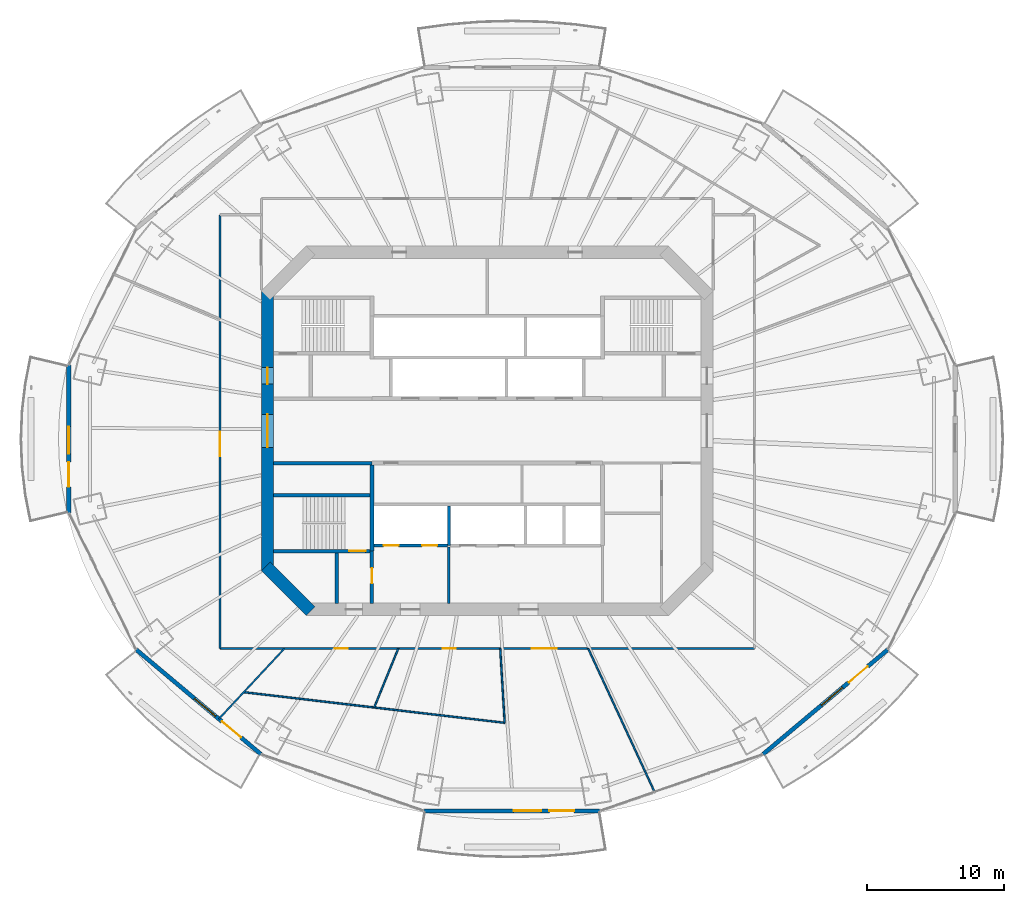
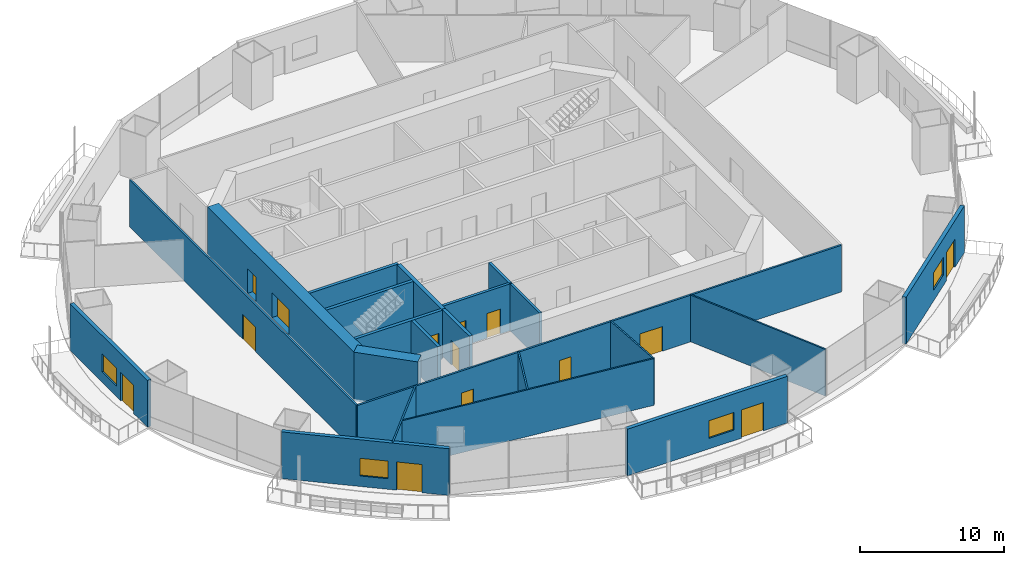
# One storey, part 12 of 21: 22 walls, 14 doors, 4 windows, 18 openings.
"""IFC4 building model written with IfcOpenShell, lengths in metres."""

from ifc_helpers import new_model, si_unit, direction, frame, frame_2d, origin, place, context, subcontext, project, spatial, rectangle, extrude, material, layer, layer_set, type_object, element, fill, save


model = new_model("IFC4")

# Units and contexts
model_context = context("Model", 3, precision=1e-05, world=origin(), true_north=direction((0.0, 1.0)))
body_context = subcontext(model_context, "Body", "Model", "MODEL_VIEW")
ifc_project = project(units=[si_unit("LENGTHUNIT", "METRE"), si_unit("AREAUNIT", "SQUARE_METRE"), si_unit("VOLUMEUNIT", "CUBIC_METRE"), si_unit("PLANEANGLEUNIT", "RADIAN"), si_unit("MASSUNIT", "GRAM", prefix="KILO")], contexts=[model_context])

# Site, building, storey
site_placement = place(None, origin())
site = spatial("IfcSite", under=ifc_project, at=site_placement, CompositionType="ELEMENT")
building_placement = place(site_placement, origin())
building = spatial("IfcBuilding", under=site, at=building_placement, Name="Marenthal Gate Tower", CompositionType="ELEMENT")
storey_placement = place(building_placement, frame((0.0, 0.0, 169.35009765625)))
storey = spatial("IfcBuildingStorey", under=building, at=storey_placement, Name="L36", CompositionType="ELEMENT", Elevation=169.35009765625)

# Wall, openings, doors
ifc_material_1 = material(Name="Concrete 60 MPa", Category="concrete")
ifc_layer_1 = layer(ifc_material_1, 0.89990234375)
ifc_layer_set_1 = layer_set([ifc_layer_1], Name="Core shear wall 900")
wall_type_1 = type_object("IfcWallType", Name="Core shear wall 900", PredefinedType="SHEAR", material=ifc_layer_set_1)
wall_1_placement = place(storey_placement, frame((-16.0, 10.186279296875, -0.18017578125), z_axis=(0.0, 0.0, 1.0), x_axis=(0.0, -1.0, 0.0)))
wall_1 = element("IfcWall", 1, at=wall_1_placement, inside=storey, type_object=wall_type_1, Name="Core wall 06", PredefinedType="SHEAR", context=body_context, shape_type="SweptSolid", body=[
    extrude(rectangle(XDim=20.37255859375, YDim=0.89990234375, at=frame_2d((10.186279296875, 0.0))), origin(), (0.0, 0.0, 1.0), 4.150146484375),
])
opening_1_placement = place(wall_1_placement, frame((8.986328125, 0.0, 0.179931640625)))
opening_1 = element("IfcOpeningElement", 2, at=opening_1_placement, cuts=wall_1, Name="Opening D003.01", PredefinedType="OPENING", context=body_context, shape_type="SweptSolid", body=[
    extrude(rectangle(XDim=2.39990234375, YDim=2.10009765625, at=frame_2d((1.199951171875, 1.050048828125))), frame((0.0, 0.4599609375, 0.0), z_axis=(0.0, -1.0, 0.0), x_axis=(1.0, 0.0, 0.0)), (0.0, 0.0, 1.0), 0.919921875),
])
opening_2_placement = place(wall_1_placement, frame((5.58642578125, 0.0, 0.179931640625)))
opening_2 = element("IfcOpeningElement", 3, at=opening_2_placement, cuts=wall_1, Name="Opening D001.04", PredefinedType="OPENING", context=body_context, shape_type="SweptSolid", body=[
    extrude(rectangle(XDim=1.199951171875, YDim=2.10009765625, at=frame_2d((0.60009765625, 1.050048828125))), frame((0.0, 0.4599609375, 0.0), z_axis=(0.0, -1.0, 0.0), x_axis=(1.0, 0.0, 0.0)), (0.0, 0.0, 1.0), 0.919921875),
])
ifc_material_2 = material(Name="Steel fire door", Category="steel")
door_type_1 = type_object("IfcDoorType", Name="Double fire door FD 45 2400 x 2100", OperationType="DOUBLE_DOOR_SINGLE_SWING", PredefinedType="DOOR", material=ifc_material_2)
door_1_placement = place(opening_1_placement, origin())
door_1 = element("IfcDoor", 4, at=door_1_placement, inside=storey, type_object=door_type_1, Name="Door D003.01", OperationType="DOUBLE_DOOR_SINGLE_SWING", OverallHeight=2.10009765625, OverallWidth=2.39990234375, PredefinedType="DOOR", context=body_context, shape_type="SweptSolid", body=[
    extrude(rectangle(XDim=2.39990234375, YDim=2.10009765625, at=frame_2d((1.199951171875, 1.050048828125))), frame((0.0, 0.02490234375, 0.0), z_axis=(0.0, -1.0, 0.0), x_axis=(1.0, 0.0, 0.0)), (0.0, 0.0, 1.0), 0.050048828125),
])
fill(opening_1, door_1)
ifc_material_3 = material(Name="Steel fire door", Category="steel")
door_type_2 = type_object("IfcDoorType", Name="Fire door FD 90 1200 x 2100", OperationType="NOTDEFINED", PredefinedType="DOOR", material=ifc_material_3)
door_2_placement = place(opening_2_placement, origin())
door_2 = element("IfcDoor", 5, at=door_2_placement, inside=storey, type_object=door_type_2, Name="Door D001.04", OperationType="SINGLE_SWING_RIGHT", OverallHeight=2.10009765625, OverallWidth=1.199951171875, PredefinedType="DOOR", context=body_context, shape_type="SweptSolid", body=[
    extrude(rectangle(XDim=1.199951171875, YDim=2.10009765625, at=frame_2d((0.60009765625, 1.050048828125))), frame((0.0, 0.02490234375, 0.0), z_axis=(0.0, -1.0, 0.0), x_axis=(1.0, 0.0, 0.0)), (0.0, 0.0, 1.0), 0.050048828125),
])
fill(opening_2, door_2)

# Walls
wall_2_placement = place(storey_placement, frame((-16.1318359375, -9.8681640625, -0.18017578125), z_axis=(0.0, 0.0, 1.0), x_axis=(0.707106781187, -0.707106781187, 0.0)))
element("IfcWall", 6, at=wall_2_placement, inside=storey, type_object=wall_type_1, Name="Core wall 07", PredefinedType="SHEAR", context=body_context, shape_type="SweptSolid", body=[
    extrude(rectangle(XDim=4.615478515625, YDim=0.89990234375, at=frame_2d((2.3076171875, 0.0))), origin(), (0.0, 0.0, 1.0), 4.150146484375),
])
ifc_material_4 = material(Name="Gypsum board on steel studs", Category="steel")
ifc_layer_2 = layer(ifc_material_4, 0.199951171875)
ifc_layer_set_2 = layer_set([ifc_layer_2], Name="Fire lobby wall 200")
wall_type_2 = type_object("IfcWallType", Name="Fire lobby wall 200", PredefinedType="PARTITIONING", material=ifc_layer_set_2)
wall_3_placement = place(storey_placement, frame((-2.800048828125, -12.550048828125, 0.0), z_axis=(0.0, 0.0, 1.0), x_axis=(0.0, 1.0, 0.0)))
element("IfcWall", 7, at=wall_3_placement, inside=storey, type_object=wall_type_2, Name="Fire wall 34", PredefinedType="PARTITIONING", context=body_context, shape_type="SweptSolid", body=[
    extrude(rectangle(XDim=4.090087890625, YDim=0.199951171875, at=frame_2d((2.044921875, 0.0))), origin(), (0.0, 0.0, 1.0), 3.969970703125),
])
ifc_material_5 = material(Name="Concrete 50 MPa", Category="concrete")
ifc_layer_3 = layer(ifc_material_5, 0.300048828125)
ifc_layer_set_3 = layer_set([ifc_layer_3], Name="Hoistway shear wall 300")
wall_type_3 = type_object("IfcWallType", Name="Hoistway shear wall 300", PredefinedType="SHEAR", material=ifc_layer_set_3)
wall_4_placement = place(storey_placement, frame((-8.39990234375, -8.75, -0.18017578125), z_axis=(0.0, 0.0, 1.0), x_axis=(0.0, 1.0, 0.0)))
element("IfcWall", 8, at=wall_4_placement, inside=storey, type_object=wall_type_3, Name="Hoistway wall 30", PredefinedType="SHEAR", context=body_context, shape_type="SweptSolid", body=[
    extrude(rectangle(XDim=6.25, YDim=0.300048828125, at=frame_2d((3.125, 0.0))), origin(), (0.0, 0.0, 1.0), 4.150146484375),
])

# Wall, openings, doors
ifc_material_6 = material(Name="Concrete 40 MPa", Category="concrete")
ifc_layer_4 = layer(ifc_material_6, 0.219970703125)
ifc_layer_set_4 = layer_set([ifc_layer_4], Name="Hoistway wall 220")
wall_type_4 = type_object("IfcWallType", Name="Hoistway wall 220", PredefinedType="STANDARD", material=ifc_layer_set_4)
wall_5_placement = place(storey_placement, frame((-8.25, -8.35009765625, 0.0), z_axis=(0.0, 0.0, 1.0), x_axis=(1.0, 0.0, 0.0)))
wall_5 = element("IfcWall", 9, at=wall_5_placement, inside=storey, type_object=wall_type_4, Name="Hoistway wall 10", PredefinedType="STANDARD", context=body_context, shape_type="SweptSolid", body=[
    extrude(rectangle(XDim=5.340087890625, YDim=0.219970703125, at=frame_2d((2.669921875, 0.0))), origin(), (0.0, 0.0, 1.0), 3.969970703125),
])
opening_3_placement = place(wall_5_placement, frame((0.699951171875, 0.0, 0.0)))
opening_3 = element("IfcOpeningElement", 10, at=opening_3_placement, cuts=wall_5, Name="Opening LD-LF1", PredefinedType="OPENING", context=body_context, shape_type="SweptSolid", body=[
    extrude(rectangle(XDim=1.10009765625, YDim=2.10009765625, at=frame_2d((0.550048828125, 1.050048828125))), frame((0.0, 0.1201171875, 0.0), z_axis=(0.0, -1.0, 0.0), x_axis=(1.0, 0.0, 0.0)), (0.0, 0.0, 1.0), 0.239990234375),
])
opening_4_placement = place(wall_5_placement, frame((3.5, 0.0, 0.0)))
opening_4 = element("IfcOpeningElement", 11, at=opening_4_placement, cuts=wall_5, Name="Opening LD-LF2", PredefinedType="OPENING", context=body_context, shape_type="SweptSolid", body=[
    extrude(rectangle(XDim=1.10009765625, YDim=2.10009765625, at=frame_2d((0.550048828125, 1.050048828125))), frame((0.0, 0.1201171875, 0.0), z_axis=(0.0, -1.0, 0.0), x_axis=(1.0, 0.0, 0.0)), (0.0, 0.0, 1.0), 0.239990234375),
])
ifc_material_7 = material(Name="Stainless steel sliding door", Category="steel")
door_type_3 = type_object("IfcDoorType", Name="Lift landing door FD 90 1100 x 2100", OperationType="DOUBLE_DOOR_SLIDING", PredefinedType="DOOR", material=ifc_material_7)
door_3_placement = place(opening_3_placement, origin())
door_3 = element("IfcDoor", 12, at=door_3_placement, inside=storey, type_object=door_type_3, Name="Lift landing door LF1", OperationType="DOUBLE_DOOR_SLIDING", OverallHeight=2.10009765625, OverallWidth=1.10009765625, PredefinedType="DOOR", context=body_context, shape_type="SweptSolid", body=[
    extrude(rectangle(XDim=1.10009765625, YDim=2.10009765625, at=frame_2d((0.550048828125, 1.050048828125))), frame((0.0, 0.02490234375, 0.0), z_axis=(0.0, -1.0, 0.0), x_axis=(1.0, 0.0, 0.0)), (0.0, 0.0, 1.0), 0.050048828125),
])
fill(opening_3, door_3)
door_4_placement = place(opening_4_placement, origin())
door_4 = element("IfcDoor", 13, at=door_4_placement, inside=storey, type_object=door_type_3, Name="Lift landing door LF2", OperationType="DOUBLE_DOOR_SLIDING", OverallHeight=2.10009765625, OverallWidth=1.10009765625, PredefinedType="DOOR", context=body_context, shape_type="SweptSolid", body=[
    extrude(rectangle(XDim=1.10009765625, YDim=2.10009765625, at=frame_2d((0.550048828125, 1.050048828125))), frame((0.0, 0.02490234375, 0.0), z_axis=(0.0, -1.0, 0.0), x_axis=(1.0, 0.0, 0.0)), (0.0, 0.0, 1.0), 0.050048828125),
])
fill(opening_4, door_4)

# Walls
wall_6_placement = place(storey_placement, frame((-2.800048828125, -8.35009765625, 0.0), z_axis=(0.0, 0.0, 1.0), x_axis=(0.0, 1.0, 0.0)))
element("IfcWall", 14, at=wall_6_placement, inside=storey, type_object=wall_type_4, Name="Hoistway wall 35", PredefinedType="STANDARD", context=body_context, shape_type="SweptSolid", body=[
    extrude(rectangle(XDim=2.89013671875, YDim=0.219970703125, at=frame_2d((1.445068359375, 0.0))), origin(), (0.0, 0.0, 1.0), 3.969970703125),
])
ifc_material_8 = material(Name="Gypsum board on steel studs", Category="steel")
ifc_layer_5 = layer(ifc_material_8, 0.1201171875)
ifc_layer_set_5 = layer_set([ifc_layer_5], Name="Partition 120")
wall_type_5 = type_object("IfcWallType", Name="Partition 120", PredefinedType="PARTITIONING", material=ifc_layer_set_5)
wall_7_placement = place(storey_placement, frame((-17.72900390625, -19.025390625, 0.0), z_axis=(0.0, 0.0, 1.0), x_axis=(0.99318471995, -0.116550899001, 0.0)))
element("IfcWall", 15, at=wall_7_placement, inside=storey, type_object=wall_type_5, Name="Partition wall 52", PredefinedType="PARTITIONING", context=body_context, shape_type="SweptSolid", body=[
    extrude(rectangle(XDim=19.124755859375, YDim=0.1201171875, at=frame_2d((9.5625, 0.0))), origin(), (0.0, 0.0, 1.0), 3.969970703125),
])
wall_8_placement = place(storey_placement, frame((-14.77001953125, -15.85009765625, 0.0), z_axis=(0.0, 0.0, 1.0), x_axis=(-0.681748932873, -0.731586216742, 0.0)))
element("IfcWall", 16, at=wall_8_placement, inside=storey, type_object=wall_type_5, Name="Partition wall 55", PredefinedType="PARTITIONING", context=body_context, shape_type="SweptSolid", body=[
    extrude(rectangle(XDim=7.000244140625, YDim=0.1201171875, at=frame_2d((3.5, 0.0))), origin(), (0.0, 0.0, 1.0), 3.969970703125),
])
wall_9_placement = place(storey_placement, frame((-8.231689453125, -20.139892578125, 0.0), z_axis=(0.0, 0.0, 1.0), x_axis=(0.378310762155, 0.925678652253, 0.0)))
element("IfcWall", 17, at=wall_9_placement, inside=storey, type_object=wall_type_5, Name="Partition wall 56", PredefinedType="PARTITIONING", context=body_context, shape_type="SweptSolid", body=[
    extrude(rectangle(XDim=4.63427734375, YDim=0.1201171875, at=frame_2d((2.317138671875, 0.0))), origin(), (0.0, 0.0, 1.0), 3.969970703125),
])
wall_10_placement = place(storey_placement, frame((1.265380859375, -21.25439453125, 0.0), z_axis=(0.0, 0.0, 1.0), x_axis=(-0.059435758529, 0.998232132627, 0.0)))
element("IfcWall", 18, at=wall_10_placement, inside=storey, type_object=wall_type_5, Name="Partition wall 57", PredefinedType="PARTITIONING", context=body_context, shape_type="SweptSolid", body=[
    extrude(rectangle(XDim=5.413818359375, YDim=0.1201171875, at=frame_2d((2.70703125, 0.0))), origin(), (0.0, 0.0, 1.0), 3.969970703125),
])
wall_11_placement = place(storey_placement, frame((7.34521484375, -15.85009765625, 0.0), z_axis=(0.0, 0.0, 1.0), x_axis=(0.420456324396, -0.907312779187, 0.0)))
element("IfcWall", 19, at=wall_11_placement, inside=storey, type_object=wall_type_5, Name="Partition wall 59", PredefinedType="PARTITIONING", context=body_context, shape_type="SweptSolid", body=[
    extrude(rectangle(XDim=11.5009765625, YDim=0.1201171875, at=frame_2d((5.75048828125, 0.0))), origin(), (0.0, 0.0, 1.0), 3.969970703125),
])

# Wall, opening, door
ifc_material_9 = material(Name="Gypsum board on steel studs", Category="steel")
ifc_layer_6 = layer(ifc_material_9, 0.14990234375)
ifc_layer_set_6 = layer_set([ifc_layer_6], Name="Partition 150")
wall_type_6 = type_object("IfcWallType", Name="Partition 150", PredefinedType="PARTITIONING", material=ifc_layer_set_6)
wall_12_placement = place(storey_placement, frame((-19.449951171875, -15.85009765625, 0.0), z_axis=(0.0, 0.0, 1.0), x_axis=(0.0, 1.0, 0.0)))
wall_12 = element("IfcWall", 20, at=wall_12_placement, inside=storey, type_object=wall_type_6, Name="Partition wall 49", PredefinedType="PARTITIONING", context=body_context, shape_type="SweptSolid", body=[
    extrude(rectangle(XDim=31.581787109375, YDim=0.14990234375, at=frame_2d((15.791015625, 0.0))), origin(), (0.0, 0.0, 1.0), 3.969970703125),
])
opening_5_placement = place(wall_12_placement, frame((14.0029296875, 0.0, 0.0)))
opening_5 = element("IfcOpeningElement", 21, at=opening_5_placement, cuts=wall_12, Name="Opening D014.02", PredefinedType="OPENING", context=body_context, shape_type="SweptSolid", body=[
    extrude(rectangle(XDim=1.800048828125, YDim=2.10009765625, at=frame_2d((0.89990234375, 1.050048828125))), frame((0.0, 0.0849609375, 0.0), z_axis=(0.0, -1.0, 0.0), x_axis=(1.0, 0.0, 0.0)), (0.0, 0.0, 1.0), 0.169921875),
])
ifc_material_10 = material(Name="Timber door", Category="wood")
door_type_4 = type_object("IfcDoorType", Name="Double door 1800 x 2100", OperationType="DOUBLE_DOOR_SINGLE_SWING", PredefinedType="DOOR", material=ifc_material_10)
door_5_placement = place(opening_5_placement, origin())
door_5 = element("IfcDoor", 22, at=door_5_placement, inside=storey, type_object=door_type_4, Name="Door D014.02", OperationType="DOUBLE_DOOR_SINGLE_SWING", OverallHeight=2.10009765625, OverallWidth=1.800048828125, PredefinedType="DOOR", context=body_context, shape_type="SweptSolid", body=[
    extrude(rectangle(XDim=1.800048828125, YDim=2.10009765625, at=frame_2d((0.89990234375, 1.050048828125))), frame((0.0, 0.02490234375, 0.0), z_axis=(0.0, -1.0, 0.0), x_axis=(1.0, 0.0, 0.0)), (0.0, 0.0, 1.0), 0.050048828125),
])
fill(opening_5, door_5)

# Wall, openings, doors
wall_13_placement = place(storey_placement, frame((19.449951171875, -15.85009765625, 0.0), z_axis=(0.0, 0.0, 1.0), x_axis=(-1.0, 0.0, 0.0)))
wall_13 = element("IfcWall", 23, at=wall_13_placement, inside=storey, type_object=wall_type_6, Name="Partition wall 65", PredefinedType="PARTITIONING", context=body_context, shape_type="SweptSolid", body=[
    extrude(rectangle(XDim=38.89990234375, YDim=0.14990234375, at=frame_2d((19.449951171875, 0.0))), origin(), (0.0, 0.0, 1.0), 3.969970703125),
])
opening_6_placement = place(wall_13_placement, frame((29.59912109375, 0.0, 0.0)))
opening_6 = element("IfcOpeningElement", 24, at=opening_6_placement, cuts=wall_13, Name="Opening D016.06", PredefinedType="OPENING", context=body_context, shape_type="SweptSolid", body=[
    extrude(rectangle(XDim=0.949951171875, YDim=2.10009765625, at=frame_2d((0.47509765625, 1.050048828125))), frame((0.0, 0.0849609375, 0.0), z_axis=(0.0, -1.0, 0.0), x_axis=(1.0, 0.0, 0.0)), (0.0, 0.0, 1.0), 0.169921875),
])
opening_7_placement = place(wall_13_placement, frame((21.741943359375, 0.0, 0.0)))
opening_7 = element("IfcOpeningElement", 25, at=opening_7_placement, cuts=wall_13, Name="Opening D016.07", PredefinedType="OPENING", context=body_context, shape_type="SweptSolid", body=[
    extrude(rectangle(XDim=0.949951171875, YDim=2.10009765625, at=frame_2d((0.47509765625, 1.050048828125))), frame((0.0, 0.0849609375, 0.0), z_axis=(0.0, -1.0, 0.0), x_axis=(1.0, 0.0, 0.0)), (0.0, 0.0, 1.0), 0.169921875),
])
opening_8_placement = place(wall_13_placement, frame((14.406005859375, 0.0, 0.0)))
opening_8 = element("IfcOpeningElement", 26, at=opening_8_placement, cuts=wall_13, Name="Opening D014.03", PredefinedType="OPENING", context=body_context, shape_type="SweptSolid", body=[
    extrude(rectangle(XDim=1.800048828125, YDim=2.10009765625, at=frame_2d((0.89990234375, 1.050048828125))), frame((0.0, 0.0849609375, 0.0), z_axis=(0.0, -1.0, 0.0), x_axis=(1.0, 0.0, 0.0)), (0.0, 0.0, 1.0), 0.169921875),
])
ifc_material_11 = material(Name="Timber door", Category="wood")
door_type_5 = type_object("IfcDoorType", Name="Door 950 x 2100", OperationType="NOTDEFINED", PredefinedType="DOOR", material=ifc_material_11)
door_6_placement = place(opening_6_placement, origin())
door_6 = element("IfcDoor", 27, at=door_6_placement, inside=storey, type_object=door_type_5, Name="Door D016.06", OperationType="SINGLE_SWING_RIGHT", OverallHeight=2.10009765625, OverallWidth=0.949951171875, PredefinedType="DOOR", context=body_context, shape_type="SweptSolid", body=[
    extrude(rectangle(XDim=0.949951171875, YDim=2.10009765625, at=frame_2d((0.47509765625, 1.050048828125))), frame((0.0, 0.02490234375, 0.0), z_axis=(0.0, -1.0, 0.0), x_axis=(1.0, 0.0, 0.0)), (0.0, 0.0, 1.0), 0.050048828125),
])
fill(opening_6, door_6)
door_7_placement = place(opening_7_placement, origin())
door_7 = element("IfcDoor", 28, at=door_7_placement, inside=storey, type_object=door_type_5, Name="Door D016.07", OperationType="SINGLE_SWING_RIGHT", OverallHeight=2.10009765625, OverallWidth=0.949951171875, PredefinedType="DOOR", context=body_context, shape_type="SweptSolid", body=[
    extrude(rectangle(XDim=0.949951171875, YDim=2.10009765625, at=frame_2d((0.47509765625, 1.050048828125))), frame((0.0, 0.02490234375, 0.0), z_axis=(0.0, -1.0, 0.0), x_axis=(1.0, 0.0, 0.0)), (0.0, 0.0, 1.0), 0.050048828125),
])
fill(opening_7, door_7)
door_8_placement = place(opening_8_placement, origin())
door_8 = element("IfcDoor", 29, at=door_8_placement, inside=storey, type_object=door_type_4, Name="Door D014.03", OperationType="DOUBLE_DOOR_SINGLE_SWING", OverallHeight=2.10009765625, OverallWidth=1.800048828125, PredefinedType="DOOR", context=body_context, shape_type="SweptSolid", body=[
    extrude(rectangle(XDim=1.800048828125, YDim=2.10009765625, at=frame_2d((0.89990234375, 1.050048828125))), frame((0.0, 0.02490234375, 0.0), z_axis=(0.0, -1.0, 0.0), x_axis=(1.0, 0.0, 0.0)), (0.0, 0.0, 1.0), 0.050048828125),
])
fill(opening_8, door_8)

# Walls
ifc_material_12 = material(Name="Concrete 40 MPa", Category="concrete")
ifc_layer_7 = layer(ifc_material_12, 0.25)
ifc_layer_set_7 = layer_set([ifc_layer_7], Name="Stair enclosure wall 250")
wall_type_7 = type_object("IfcWallType", Name="Stair enclosure wall 250", PredefinedType="STANDARD", material=ifc_layer_set_7)
wall_14_placement = place(storey_placement, frame((-15.550048828125, -2.35009765625, 0.0), z_axis=(0.0, 0.0, 1.0), x_axis=(1.0, 0.0, 0.0)))
element("IfcWall", 30, at=wall_14_placement, inside=storey, type_object=wall_type_7, Name="Stair wall 15", PredefinedType="STANDARD", context=body_context, shape_type="SweptSolid", body=[
    extrude(rectangle(XDim=7.150146484375, YDim=0.25, at=frame_2d((3.5751953125, 0.0))), origin(), (0.0, 0.0, 1.0), 3.969970703125),
])
wall_15_placement = place(storey_placement, frame((-10.949951171875, -12.550048828125, 0.0), z_axis=(0.0, 0.0, 1.0), x_axis=(0.0, 1.0, 0.0)))
element("IfcWall", 31, at=wall_15_placement, inside=storey, type_object=wall_type_7, Name="Stair wall 28", PredefinedType="STANDARD", context=body_context, shape_type="SweptSolid", body=[
    extrude(rectangle(XDim=3.675048828125, YDim=0.25, at=frame_2d((1.83740234375, 0.0))), origin(), (0.0, 0.0, 1.0), 3.969970703125),
])

# Wall, opening, door
wall_16_placement = place(storey_placement, frame((-8.39990234375, -12.550048828125, 0.0), z_axis=(0.0, 0.0, 1.0), x_axis=(0.0, 1.0, 0.0)))
wall_16 = element("IfcWall", 32, at=wall_16_placement, inside=storey, type_object=wall_type_7, Name="Stair wall 29", PredefinedType="STANDARD", context=body_context, shape_type="SweptSolid", body=[
    extrude(rectangle(XDim=3.800048828125, YDim=0.25, at=frame_2d((1.89990234375, 0.0))), origin(), (0.0, 0.0, 1.0), 3.969970703125),
])
opening_9_placement = place(wall_16_placement, frame((1.449951171875, 0.0, 0.0)))
opening_9 = element("IfcOpeningElement", 33, at=opening_9_placement, cuts=wall_16, Name="Opening D002.01", PredefinedType="OPENING", context=body_context, shape_type="SweptSolid", body=[
    extrude(rectangle(XDim=1.10009765625, YDim=2.10009765625, at=frame_2d((0.550048828125, 1.050048828125))), frame((0.0, 0.135009765625, 0.0), z_axis=(0.0, -1.0, 0.0), x_axis=(1.0, 0.0, 0.0)), (0.0, 0.0, 1.0), 0.27001953125),
])
ifc_material_13 = material(Name="Steel fire door", Category="steel")
door_type_6 = type_object("IfcDoorType", Name="Fire door FD 90 1100 x 2100", OperationType="NOTDEFINED", PredefinedType="DOOR", material=ifc_material_13)
door_9_placement = place(opening_9_placement, origin())
door_9 = element("IfcDoor", 34, at=door_9_placement, inside=storey, type_object=door_type_6, Name="Door D002.01", OperationType="SINGLE_SWING_RIGHT", OverallHeight=2.10009765625, OverallWidth=1.10009765625, PredefinedType="DOOR", context=body_context, shape_type="SweptSolid", body=[
    extrude(rectangle(XDim=1.10009765625, YDim=2.10009765625, at=frame_2d((0.550048828125, 1.050048828125))), frame((0.0, 0.02490234375, 0.0), z_axis=(0.0, -1.0, 0.0), x_axis=(1.0, 0.0, 0.0)), (0.0, 0.0, 1.0), 0.050048828125),
])
fill(opening_9, door_9)

ifc_material_14 = material(Name="Concrete 50 MPa", Category="concrete")
ifc_layer_8 = layer(ifc_material_14, 0.25)
ifc_layer_set_8 = layer_set([ifc_layer_8], Name="Stair shear wall 250")
wall_type_8 = type_object("IfcWallType", Name="Stair shear wall 250", PredefinedType="SHEAR", material=ifc_layer_set_8)
wall_17_placement = place(storey_placement, frame((-15.550048828125, -8.75, -0.18017578125), z_axis=(0.0, 0.0, 1.0), x_axis=(1.0, 0.0, 0.0)))
wall_17 = element("IfcWall", 35, at=wall_17_placement, inside=storey, type_object=wall_type_8, Name="Stair wall 09", PredefinedType="SHEAR", context=body_context, shape_type="SweptSolid", body=[
    extrude(rectangle(XDim=7.0, YDim=0.25, at=frame_2d((3.5, 0.0))), origin(), (0.0, 0.0, 1.0), 4.150146484375),
])
opening_10_placement = place(wall_17_placement, frame((5.5, 0.0, 0.179931640625)))
opening_10 = element("IfcOpeningElement", 36, at=opening_10_placement, cuts=wall_17, Name="Opening D001.03", PredefinedType="OPENING", context=body_context, shape_type="SweptSolid", body=[
    extrude(rectangle(XDim=1.199951171875, YDim=2.10009765625, at=frame_2d((0.60009765625, 1.050048828125))), frame((0.0, 0.135009765625, 0.0), z_axis=(0.0, -1.0, 0.0), x_axis=(1.0, 0.0, 0.0)), (0.0, 0.0, 1.0), 0.27001953125),
])
door_10_placement = place(opening_10_placement, origin())
door_10 = element("IfcDoor", 37, at=door_10_placement, inside=storey, type_object=door_type_2, Name="Door D001.03", OperationType="SINGLE_SWING_RIGHT", OverallHeight=2.10009765625, OverallWidth=1.199951171875, PredefinedType="DOOR", context=body_context, shape_type="SweptSolid", body=[
    extrude(rectangle(XDim=1.199951171875, YDim=2.10009765625, at=frame_2d((0.60009765625, 1.050048828125))), frame((0.0, 0.02490234375, 0.0), z_axis=(0.0, -1.0, 0.0), x_axis=(1.0, 0.0, 0.0)), (0.0, 0.0, 1.0), 0.050048828125),
])
fill(opening_10, door_10)

# Wall
wall_18_placement = place(storey_placement, frame((-15.550048828125, -4.699951171875, -0.18017578125), z_axis=(0.0, 0.0, 1.0), x_axis=(1.0, 0.0, 0.0)))
element("IfcWall", 38, at=wall_18_placement, inside=storey, type_object=wall_type_8, Name="Stair wall 14", PredefinedType="SHEAR", context=body_context, shape_type="SweptSolid", body=[
    extrude(rectangle(XDim=7.0, YDim=0.25, at=frame_2d((3.5, 0.0))), origin(), (0.0, 0.0, 1.0), 4.150146484375),
])

# Wall, openings, door, window
ifc_material_15 = material(Name="Terracotta cladding on insulated concrete-block backing", Category="masonry")
ifc_layer_9 = layer(ifc_material_15, 0.300048828125)
ifc_layer_set_9 = layer_set([ifc_layer_9], Name="Terracotta facade wall 300")
wall_type_9 = type_object("IfcWallType", Name="Terracotta facade wall 300", PredefinedType="SOLIDWALL", material=ifc_layer_set_9)
wall_19_placement = place(storey_placement, frame((-30.466796875, 4.782958984375, 0.0), z_axis=(0.0, 0.0, 1.0), x_axis=(0.0, -1.0, 0.0)))
wall_19 = element("IfcWall", 39, at=wall_19_placement, inside=storey, type_object=wall_type_9, Name="Terracotta facade wall L36 bay 8", PredefinedType="SOLIDWALL", context=body_context, shape_type="SweptSolid", body=[
    extrude(rectangle(XDim=10.765869140625, YDim=0.300048828125, at=frame_2d((5.3828125, 0.0))), origin(), (0.0, 0.0, 1.0), 3.969970703125),
])
opening_11_placement = place(wall_19_placement, frame((7.06591796875, 0.0, 0.0)))
opening_11 = element("IfcOpeningElement", 40, at=opening_11_placement, cuts=wall_19, Name="Opening BD-L36-08", PredefinedType="OPENING", context=body_context, shape_type="SweptSolid", body=[
    extrude(rectangle(XDim=1.800048828125, YDim=2.39990234375, at=frame_2d((0.89990234375, 1.199951171875))), frame((0.0, 0.16015625, 0.0), z_axis=(0.0, -1.0, 0.0), x_axis=(1.0, 0.0, 0.0)), (0.0, 0.0, 1.0), 0.320068359375),
])
opening_12_placement = place(wall_19_placement, frame((4.4658203125, 0.0, 0.89990234375)))
opening_12 = element("IfcOpeningElement", 41, at=opening_12_placement, cuts=wall_19, Name="Opening WN2-L36-08", PredefinedType="OPENING", context=body_context, shape_type="SweptSolid", body=[
    extrude(rectangle(XDim=2.0, YDim=1.5, at=frame_2d((1.0, 0.75))), frame((0.0, 0.16015625, 0.0), z_axis=(0.0, -1.0, 0.0), x_axis=(1.0, 0.0, 0.0)), (0.0, 0.0, 1.0), 0.320068359375),
])
ifc_material_16 = material(Name="Aluminium and glass", Category="aluminium")
door_type_7 = type_object("IfcDoorType", Name="Balcony door 1800x2400", OperationType="DOUBLE_DOOR_SINGLE_SWING", PredefinedType="DOOR", material=ifc_material_16)
door_11_placement = place(opening_11_placement, origin())
door_11 = element("IfcDoor", 42, at=door_11_placement, inside=storey, type_object=door_type_7, Name="Balcony door L36 bay 8", OperationType="SINGLE_SWING_LEFT", OverallHeight=2.39990234375, OverallWidth=1.800048828125, PredefinedType="DOOR", context=body_context, shape_type="SweptSolid", body=[
    extrude(rectangle(XDim=1.800048828125, YDim=2.39990234375, at=frame_2d((0.89990234375, 1.199951171875))), frame((0.0, 0.02490234375, 0.0), z_axis=(0.0, -1.0, 0.0), x_axis=(1.0, 0.0, 0.0)), (0.0, 0.0, 1.0), 0.050048828125),
])
fill(opening_11, door_11)
ifc_material_17 = material(Name="Aluminium and glass", Category="aluminium")
window_type = type_object("IfcWindowType", Name="Window 2000x1500", PartitioningType="DOUBLE_PANEL_VERTICAL", PredefinedType="WINDOW", material=ifc_material_17)
window_1_placement = place(opening_12_placement, origin())
window_1 = element("IfcWindow", 43, at=window_1_placement, inside=storey, type_object=window_type, Name="Window L36 bay 8", OverallHeight=1.5, OverallWidth=2.0, PartitioningType="SINGLE_PANEL", PredefinedType="WINDOW", context=body_context, shape_type="SweptSolid", body=[
    extrude(rectangle(XDim=2.0, YDim=1.5, at=frame_2d((1.0, 0.75))), frame((0.0, 0.030029296875, 0.0), z_axis=(0.0, -1.0, 0.0), x_axis=(1.0, 0.0, 0.0)), (0.0, 0.0, 1.0), 0.06005859375),
])
fill(opening_12, window_1)

wall_20_placement = place(storey_placement, frame((-25.554443359375, -15.92919921875, 0.0), z_axis=(0.0, 0.0, 1.0), x_axis=(0.766186960617, -0.642617725697, 0.0)))
wall_20 = element("IfcWall", 44, at=wall_20_placement, inside=storey, type_object=wall_type_9, Name="Terracotta facade wall L36 bay 10", PredefinedType="SOLIDWALL", context=body_context, shape_type="SweptSolid", body=[
    extrude(rectangle(XDim=11.846435546875, YDim=0.300048828125, at=frame_2d((5.92333984375, 0.0))), origin(), (0.0, 0.0, 1.0), 3.969970703125),
])
opening_13_placement = place(wall_20_placement, frame((8.146484375, 0.0, 0.0)))
opening_13 = element("IfcOpeningElement", 45, at=opening_13_placement, cuts=wall_20, Name="Opening BD-L36-10", PredefinedType="OPENING", context=body_context, shape_type="SweptSolid", body=[
    extrude(rectangle(XDim=1.800048828125, YDim=2.39990234375, at=frame_2d((0.89990234375, 1.199951171875))), frame((0.0, 0.16015625, 0.0), z_axis=(0.0, -1.0, 0.0), x_axis=(1.0, 0.0, 0.0)), (0.0, 0.0, 1.0), 0.320068359375),
])
opening_14_placement = place(wall_20_placement, frame((5.54638671875, 0.0, 0.89990234375)))
opening_14 = element("IfcOpeningElement", 46, at=opening_14_placement, cuts=wall_20, Name="Opening WN2-L36-10", PredefinedType="OPENING", context=body_context, shape_type="SweptSolid", body=[
    extrude(rectangle(XDim=2.0, YDim=1.5, at=frame_2d((1.0, 0.75))), frame((0.0, 0.16015625, 0.0), z_axis=(0.0, -1.0, 0.0), x_axis=(1.0, 0.0, 0.0)), (0.0, 0.0, 1.0), 0.320068359375),
])
door_12_placement = place(opening_13_placement, origin())
door_12 = element("IfcDoor", 47, at=door_12_placement, inside=storey, type_object=door_type_7, Name="Balcony door L36 bay 10", OperationType="SINGLE_SWING_LEFT", OverallHeight=2.39990234375, OverallWidth=1.800048828125, PredefinedType="DOOR", context=body_context, shape_type="SweptSolid", body=[
    extrude(rectangle(XDim=1.800048828125, YDim=2.39990234375, at=frame_2d((0.89990234375, 1.199951171875))), frame((0.0, 0.02490234375, 0.0), z_axis=(0.0, -1.0, 0.0), x_axis=(1.0, 0.0, 0.0)), (0.0, 0.0, 1.0), 0.050048828125),
])
fill(opening_13, door_12)
window_2_placement = place(opening_14_placement, origin())
window_2 = element("IfcWindow", 48, at=window_2_placement, inside=storey, type_object=window_type, Name="Window L36 bay 10", OverallHeight=1.5, OverallWidth=2.0, PartitioningType="SINGLE_PANEL", PredefinedType="WINDOW", context=body_context, shape_type="SweptSolid", body=[
    extrude(rectangle(XDim=2.0, YDim=1.5, at=frame_2d((1.0, 0.75))), frame((0.0, 0.030029296875, 0.0), z_axis=(0.0, -1.0, 0.0), x_axis=(1.0, 0.0, 0.0)), (0.0, 0.0, 1.0), 0.06005859375),
])
fill(opening_14, window_2)

wall_21_placement = place(storey_placement, frame((-4.618408203125, -27.661865234375, 0.0), z_axis=(0.0, 0.0, 1.0), x_axis=(1.0, 0.0, 0.0)))
wall_21 = element("IfcWall", 49, at=wall_21_placement, inside=storey, type_object=wall_type_9, Name="Terracotta facade wall L36 bay 12", PredefinedType="SOLIDWALL", context=body_context, shape_type="SweptSolid", body=[
    extrude(rectangle(XDim=12.836669921875, YDim=0.300048828125, at=frame_2d((6.41845703125, 0.0))), origin(), (0.0, 0.0, 1.0), 3.969970703125),
])
opening_15_placement = place(wall_21_placement, frame((9.13671875, 0.0, 0.0)))
opening_15 = element("IfcOpeningElement", 50, at=opening_15_placement, cuts=wall_21, Name="Opening BD-L36-12", PredefinedType="OPENING", context=body_context, shape_type="SweptSolid", body=[
    extrude(rectangle(XDim=1.800048828125, YDim=2.39990234375, at=frame_2d((0.89990234375, 1.199951171875))), frame((0.0, 0.16015625, 0.0), z_axis=(0.0, -1.0, 0.0), x_axis=(1.0, 0.0, 0.0)), (0.0, 0.0, 1.0), 0.320068359375),
])
opening_16_placement = place(wall_21_placement, frame((6.53662109375, 0.0, 0.89990234375)))
opening_16 = element("IfcOpeningElement", 51, at=opening_16_placement, cuts=wall_21, Name="Opening WN2-L36-12", PredefinedType="OPENING", context=body_context, shape_type="SweptSolid", body=[
    extrude(rectangle(XDim=2.0, YDim=1.5, at=frame_2d((1.0, 0.75))), frame((0.0, 0.16015625, 0.0), z_axis=(0.0, -1.0, 0.0), x_axis=(1.0, 0.0, 0.0)), (0.0, 0.0, 1.0), 0.320068359375),
])
door_13_placement = place(opening_15_placement, origin())
door_13 = element("IfcDoor", 52, at=door_13_placement, inside=storey, type_object=door_type_7, Name="Balcony door L36 bay 12", OperationType="SINGLE_SWING_LEFT", OverallHeight=2.39990234375, OverallWidth=1.800048828125, PredefinedType="DOOR", context=body_context, shape_type="SweptSolid", body=[
    extrude(rectangle(XDim=1.800048828125, YDim=2.39990234375, at=frame_2d((0.89990234375, 1.199951171875))), frame((0.0, 0.02490234375, 0.0), z_axis=(0.0, -1.0, 0.0), x_axis=(1.0, 0.0, 0.0)), (0.0, 0.0, 1.0), 0.050048828125),
])
fill(opening_15, door_13)
window_3_placement = place(opening_16_placement, origin())
window_3 = element("IfcWindow", 53, at=window_3_placement, inside=storey, type_object=window_type, Name="Window L36 bay 12", OverallHeight=1.5, OverallWidth=2.0, PartitioningType="SINGLE_PANEL", PredefinedType="WINDOW", context=body_context, shape_type="SweptSolid", body=[
    extrude(rectangle(XDim=2.0, YDim=1.5, at=frame_2d((1.0, 0.75))), frame((0.0, 0.030029296875, 0.0), z_axis=(0.0, -1.0, 0.0), x_axis=(1.0, 0.0, 0.0)), (0.0, 0.0, 1.0), 0.06005859375),
])
fill(opening_16, window_3)

wall_22_placement = place(storey_placement, frame((20.07763671875, -23.5419921875, 0.0), z_axis=(0.0, 0.0, 1.0), x_axis=(0.766195470897, 0.642607578835, 0.0)))
wall_22 = element("IfcWall", 54, at=wall_22_placement, inside=storey, type_object=wall_type_9, Name="Terracotta facade wall L36 bay 14", PredefinedType="SOLIDWALL", context=body_context, shape_type="SweptSolid", body=[
    extrude(rectangle(XDim=11.8466796875, YDim=0.300048828125, at=frame_2d((5.92333984375, 0.0))), origin(), (0.0, 0.0, 1.0), 3.969970703125),
])
opening_17_placement = place(wall_22_placement, frame((8.146484375, 0.0, 0.0)))
opening_17 = element("IfcOpeningElement", 55, at=opening_17_placement, cuts=wall_22, Name="Opening BD-L36-14", PredefinedType="OPENING", context=body_context, shape_type="SweptSolid", body=[
    extrude(rectangle(XDim=1.800048828125, YDim=2.39990234375, at=frame_2d((0.89990234375, 1.199951171875))), frame((0.0, 0.16015625, 0.0), z_axis=(0.0, -1.0, 0.0), x_axis=(1.0, 0.0, 0.0)), (0.0, 0.0, 1.0), 0.320068359375),
])
opening_18_placement = place(wall_22_placement, frame((5.54638671875, 0.0, 0.89990234375)))
opening_18 = element("IfcOpeningElement", 56, at=opening_18_placement, cuts=wall_22, Name="Opening WN2-L36-14", PredefinedType="OPENING", context=body_context, shape_type="SweptSolid", body=[
    extrude(rectangle(XDim=2.0, YDim=1.5, at=frame_2d((1.0, 0.75))), frame((0.0, 0.16015625, 0.0), z_axis=(0.0, -1.0, 0.0), x_axis=(1.0, 0.0, 0.0)), (0.0, 0.0, 1.0), 0.320068359375),
])
door_14_placement = place(opening_17_placement, origin())
door_14 = element("IfcDoor", 57, at=door_14_placement, inside=storey, type_object=door_type_7, Name="Balcony door L36 bay 14", OperationType="SINGLE_SWING_LEFT", OverallHeight=2.39990234375, OverallWidth=1.800048828125, PredefinedType="DOOR", context=body_context, shape_type="SweptSolid", body=[
    extrude(rectangle(XDim=1.800048828125, YDim=2.39990234375, at=frame_2d((0.89990234375, 1.199951171875))), frame((0.0, 0.02490234375, 0.0), z_axis=(0.0, -1.0, 0.0), x_axis=(1.0, 0.0, 0.0)), (0.0, 0.0, 1.0), 0.050048828125),
])
fill(opening_17, door_14)
window_4_placement = place(opening_18_placement, origin())
window_4 = element("IfcWindow", 58, at=window_4_placement, inside=storey, type_object=window_type, Name="Window L36 bay 14", OverallHeight=1.5, OverallWidth=2.0, PartitioningType="SINGLE_PANEL", PredefinedType="WINDOW", context=body_context, shape_type="SweptSolid", body=[
    extrude(rectangle(XDim=2.0, YDim=1.5, at=frame_2d((1.0, 0.75))), frame((0.0, 0.030029296875, 0.0), z_axis=(0.0, -1.0, 0.0), x_axis=(1.0, 0.0, 0.0)), (0.0, 0.0, 1.0), 0.06005859375),
])
fill(opening_18, window_4)

save(model, "model.ifc")
